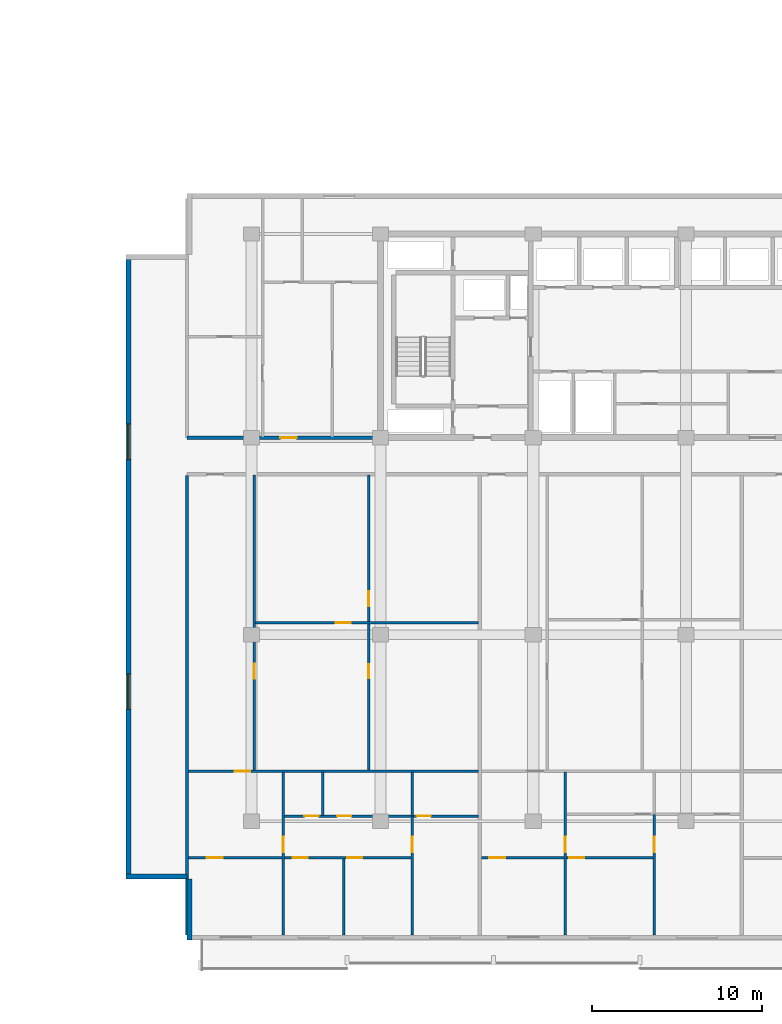
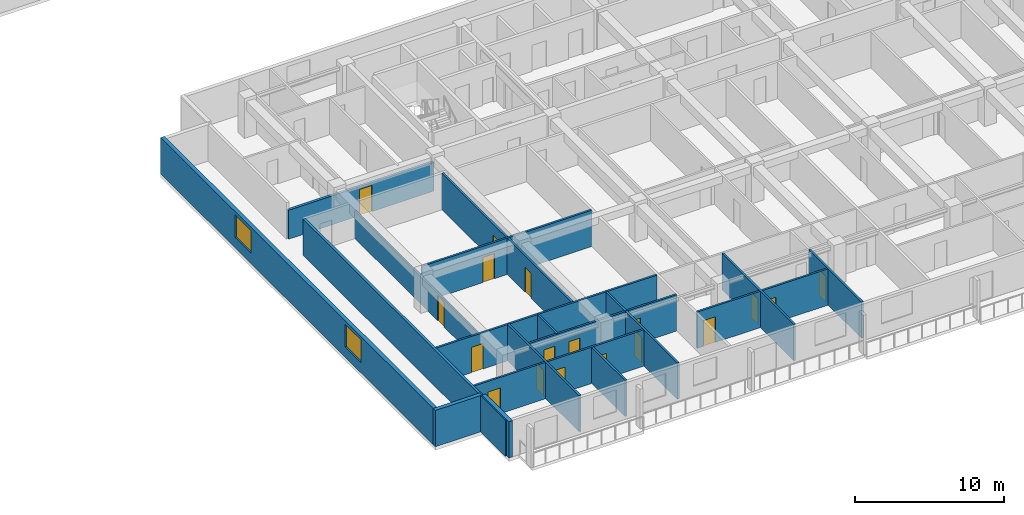
# One storey, part 3 of 23: 19 walls, 18 doors, 2 windows, 20 openings.
"""IFC4 building model written with IfcOpenShell, lengths in metres."""

import ifcopenshell
import ifcopenshell.guid

model = None  # the IFC model being written
_history = None  # IfcOwnerHistory: only IFC2X3 demands one
_inside = {}  # id of a spatial element -> (the spatial element, [elements in it])
_under = {}  # id of a project, library or spatial element -> (it, [spatial elements below it])
_declared = {}  # id of a project -> (the project, [libraries it declares])
_typed = {}  # id of a type object -> (the type object, [elements of that type])
_made_of = {}  # id of a material, layer set ... -> (it, [elements and type objects made of it])


def new_model(schema):
    """Start an empty IFC model of exactly this schema.

    Asked for "IFC4X3", IfcOpenShell would pick the latest addendum, in which some entities
    have other attributes; the version numbers below select the first issue.
    IFC2X3 requires an IfcOwnerHistory on every rooted entity: one is made here for all.
    """
    global model, _history
    if schema == "IFC4X3":
        model = ifcopenshell.file(schema_version=(4, 3, 0, 0))
    else:
        model = ifcopenshell.file(schema=schema)
    _inside.clear()
    _under.clear()
    _declared.clear()
    _typed.clear()
    _made_of.clear()
    _history = None
    if model.schema == "IFC2X3":
        org = make("IfcOrganization", Name="unknown")
        user = make(
            "IfcPersonAndOrganization",
            ThePerson=make("IfcPerson", FamilyName="unknown"),
            TheOrganization=org,
        )
        app = make(
            "IfcApplication",
            ApplicationDeveloper=org,
            Version="unknown",
            ApplicationFullName="unknown",
            ApplicationIdentifier="unknown",
        )
        _history = make(
            "IfcOwnerHistory",
            OwningUser=user,
            OwningApplication=app,
            ChangeAction="ADDED",
            CreationDate=0,
        )
    return model


def make(cls, **values):
    """One entity of the class cls with the attributes given. An attribute that is None is left unset."""
    return model.create_entity(
        cls, **{name: value for name, value in values.items() if value is not None}
    )


def rooted(cls, **values):
    """An entity with a GlobalId (a new one), such as an element, a storey or a relation."""
    return make(cls, GlobalId=ifcopenshell.guid.new(), OwnerHistory=_history, **values)


def si_unit(unit_type, name, prefix=None):
    """IfcSIUnit, for example si_unit("LENGTHUNIT", "METRE", prefix="MILLI")."""
    return make("IfcSIUnit", UnitType=unit_type, Prefix=prefix, Name=name)


def assignment(units):
    """IfcUnitAssignment: the units of a project."""
    return None if units is None else make("IfcUnitAssignment", Units=units)


def point(xyz):
    """IfcCartesianPoint."""
    return None if xyz is None else make("IfcCartesianPoint", Coordinates=xyz)


def direction(xyz):
    """IfcDirection."""
    return None if xyz is None else make("IfcDirection", DirectionRatios=xyz)


def frame(location, z_axis=None, x_axis=None):
    """IfcAxis2Placement3D, a coordinate frame: its origin and axes. An axis left out is left unset."""
    return make(
        "IfcAxis2Placement3D",
        Location=point(location),
        Axis=direction(z_axis),
        RefDirection=direction(x_axis),
    )


def frame_2d(location, x_axis=None):
    """IfcAxis2Placement2D, a coordinate frame in the plane: its origin and x axis."""
    return make(
        "IfcAxis2Placement2D", Location=point(location), RefDirection=direction(x_axis)
    )


def origin():
    """The frame at (0, 0, 0) with its axes left unset."""
    return frame((0.0, 0.0, 0.0))


def place(relative_to, where):
    """IfcLocalPlacement: puts the frame where relative to a parent placement (None: the world)."""
    return make(
        "IfcLocalPlacement", PlacementRelTo=relative_to, RelativePlacement=where
    )


def context(
    kind, dimensions, precision=None, world=None, true_north=None, identifier=None
):
    """IfcGeometricRepresentationContext, for example the 3D "Model" context."""
    return make(
        "IfcGeometricRepresentationContext",
        ContextIdentifier=identifier,
        ContextType=kind,
        CoordinateSpaceDimension=dimensions,
        Precision=precision,
        WorldCoordinateSystem=world,
        TrueNorth=true_north,
    )


def subcontext(parent, identifier, kind, view, scale=None):
    """IfcGeometricRepresentationSubContext, for example "Body" below "Model"."""
    return make(
        "IfcGeometricRepresentationSubContext",
        ContextIdentifier=identifier,
        ContextType=kind,
        ParentContext=parent,
        TargetScale=scale,
        TargetView=view,
    )


def project(units=None, contexts=None):
    """IfcProject with its units and contexts."""
    return rooted(
        "IfcProject",
        Name="project",
        RepresentationContexts=contexts,
        UnitsInContext=assignment(units),
    )


def spatial(cls, under=None, at=None, **own):
    """A site, building, storey or space (cls), placed at a placement, below another one or the project."""
    s = rooted(cls, ObjectPlacement=at, **own)
    if under is not None:
        _under.setdefault(under.id(), (under, []))[1].append(s)
    return s


def profile(cls, at=None, kind="AREA", **sizes):
    """A parametric profile (cls). Its sizes go by their IFC names, for example OverallWidth=200.0."""
    return make(cls, ProfileType=kind, Position=at, **sizes)


def rectangle(**sizes):
    """IfcRectangleProfileDef."""
    return profile("IfcRectangleProfileDef", **sizes)


def extrude(swept, where, along, depth):
    """IfcExtrudedAreaSolid: the profile swept, set in the frame where, extruded along a direction by depth."""
    return make(
        "IfcExtrudedAreaSolid",
        SweptArea=swept,
        Position=where,
        ExtrudedDirection=direction(along),
        Depth=depth,
    )


def shape(context_of_items, identifier, shape_type, items):
    """IfcShapeRepresentation: the items that make up one representation, for example the "Body"."""
    return make(
        "IfcShapeRepresentation",
        ContextOfItems=context_of_items,
        RepresentationIdentifier=identifier,
        RepresentationType=shape_type,
        Items=items,
    )


def material(Name=None, Category=None):
    """IfcMaterial."""
    return make("IfcMaterial", Name=Name, Category=Category)


def layer(
    of_material, thickness, ventilated=None, Name=None, Category=None, Priority=None
):
    """IfcMaterialLayer: one layer of a wall or slab, of a material (None: an air gap)."""
    return make(
        "IfcMaterialLayer",
        Material=of_material,
        LayerThickness=thickness,
        IsVentilated=ventilated,
        Name=Name,
        Category=Category,
        Priority=Priority,
    )


def layer_set(layers, Name=None):
    """IfcMaterialLayerSet."""
    return make("IfcMaterialLayerSet", MaterialLayers=layers, LayerSetName=Name)


def made_of(thing, what):
    """Note that an element or type object is made of a material, layer set ...; save() writes the relation."""
    if what is not None:
        _made_of.setdefault(what.id(), (what, []))[1].append(thing)
    return thing


def type_object(cls, material=None, **own):
    """A type object (cls), such as IfcWallType, which elements share."""
    return made_of(rooted(cls, **own), material)


def element(
    cls,
    number,
    at=None,
    inside=None,
    cuts=None,
    type_object=None,
    material=None,
    context=None,
    identifier="Body",
    shape_type=None,
    held_by="IfcProductDefinitionShape",
    body=None,
    shapes=None,
    **own,
):
    """One element of the class cls, such as IfcWall. Its Tag is "e" and its number.

    at: its placement. inside: the storey or other place that contains it. cuts: it is an
    opening in that element (IfcRelVoidsElement). A single representation is given by context,
    identifier, shape_type and body (its items); several are given by shapes. held_by: the class
    of the entity that holds the representations. save() writes the other relations.
    """
    e = rooted(cls, Tag="e%d" % number, ObjectPlacement=at, **own)
    if body is not None:
        shapes = [shape(context, identifier, shape_type, body)]
    if shapes is not None:
        e.Representation = make(held_by, Representations=shapes)
    if inside is not None:
        _inside.setdefault(inside.id(), (inside, []))[1].append(e)
    if cuts is not None:
        rooted(
            "IfcRelVoidsElement", RelatingBuildingElement=cuts, RelatedOpeningElement=e
        )
    if type_object is not None:
        _typed.setdefault(type_object.id(), (type_object, []))[1].append(e)
    return made_of(e, material)


def fill(opening, filler):
    """IfcRelFillsElement: the door or window that sits in an opening."""
    return rooted(
        "IfcRelFillsElement",
        RelatingOpeningElement=opening,
        RelatedBuildingElement=filler,
    )


def aggregate(whole, parts):
    """IfcRelAggregates: a whole, such as a stair, and the parts it consists of."""
    return rooted("IfcRelAggregates", RelatingObject=whole, RelatedObjects=parts)


def save(model, path):
    """Write the relations noted so far, then the file.

    IfcRelAggregates (storeys below a building ...), IfcRelContainedInSpatialStructure (elements
    in a storey), IfcRelDefinesByType, IfcRelAssociatesMaterial and IfcRelDeclares: one each for
    every whole, place, type object, material and project.
    """
    for whole, parts in _under.values():
        aggregate(whole, parts)
    for where, things in _inside.values():
        rooted(
            "IfcRelContainedInSpatialStructure",
            RelatedElements=things,
            RelatingStructure=where,
        )
    for kind, things in _typed.values():
        rooted("IfcRelDefinesByType", RelatedObjects=things, RelatingType=kind)
    for what, things in _made_of.values():
        rooted("IfcRelAssociatesMaterial", RelatedObjects=things, RelatingMaterial=what)
    for by, libraries in _declared.values():
        rooted("IfcRelDeclares", RelatingContext=by, RelatedDefinitions=libraries)
    model.write(path)


model = new_model("IFC4")

# Units and contexts
model_context = context("Model", 3, precision=1e-05, world=origin(), true_north=direction((0.0, 1.0)))
body_context = subcontext(model_context, "Body", "Model", "MODEL_VIEW")
ifc_project = project(units=[si_unit("LENGTHUNIT", "METRE"), si_unit("AREAUNIT", "SQUARE_METRE"), si_unit("VOLUMEUNIT", "CUBIC_METRE"), si_unit("PLANEANGLEUNIT", "RADIAN"), si_unit("MASSUNIT", "GRAM", prefix="KILO")], contexts=[model_context])

# Site, building, storey
site_placement = place(None, origin())
site = spatial("IfcSite", under=ifc_project, at=site_placement, CompositionType="ELEMENT")
building_placement = place(site_placement, origin())
building = spatial("IfcBuilding", under=site, at=building_placement, Name="Korimba Cascade Residences", CompositionType="ELEMENT")
storey_placement = place(building_placement, frame((0.0, 0.0, 50.0)))
storey = spatial("IfcBuildingStorey", under=building, at=storey_placement, Name="L13", CompositionType="ELEMENT", Elevation=50.0)

# Wall, openings, windows
ifc_material_1 = material(Name="Precast concrete C40/50", Category="concrete")
ifc_layer_1 = layer(ifc_material_1, 0.300048828125)
ifc_layer_set_1 = layer_set([ifc_layer_1], Name="Precast concrete C40/50")
wall_type_1 = type_object("IfcWallType", Name="EW-STONE-300", PredefinedType="STANDARD", material=ifc_layer_set_1)
wall_1_placement = place(storey_placement, frame((67.25, 29.199951171875, 0.0), z_axis=(0.0, 0.0, 1.0), x_axis=(0.0, -1.0, 0.0)))
wall_1 = element("IfcWall", 1, at=wall_1_placement, inside=storey, type_object=wall_type_1, Name="L13 T2 Perimeter Stone Wall E09", PredefinedType="STANDARD", context=body_context, shape_type="SweptSolid", body=[
    extrude(rectangle(XDim=36.800048828125, YDim=0.300048828125, at=frame_2d((18.39990234375, 0.0))), origin(), (0.0, 0.0, 1.0), 2.969970703125),
])
opening_1_placement = place(wall_1_placement, frame((9.989990234375, 0.0, 0.85009765625)))
opening_1 = element("IfcOpeningElement", 2, at=opening_1_placement, cuts=wall_1, Name="Opening W-03", PredefinedType="OPENING", context=body_context, shape_type="SweptSolid", body=[
    extrude(rectangle(XDim=2.10009765625, YDim=1.85009765625, at=frame_2d((1.050048828125, 0.925048828125))), frame((0.0, 0.16015625, 0.0), z_axis=(0.0, -1.0, 0.0), x_axis=(1.0, 0.0, 0.0)), (0.0, 0.0, 1.0), 0.320068359375),
])
opening_2_placement = place(wall_1_placement, frame((24.7099609375, 0.0, 0.85009765625)))
opening_2 = element("IfcOpeningElement", 3, at=opening_2_placement, cuts=wall_1, Name="Opening W-03", PredefinedType="OPENING", context=body_context, shape_type="SweptSolid", body=[
    extrude(rectangle(XDim=2.10009765625, YDim=1.85009765625, at=frame_2d((1.050048828125, 0.925048828125))), frame((0.0, 0.16015625, 0.0), z_axis=(0.0, -1.0, 0.0), x_axis=(1.0, 0.0, 0.0)), (0.0, 0.0, 1.0), 0.320068359375),
])
ifc_material_2 = material(Name="Double-Glazed Aluminium Window", Category="aluminium")
window_type = type_object("IfcWindowType", Name="WIN-CRN-2100", PartitioningType="DOUBLE_PANEL_HORIZONTAL", PredefinedType="WINDOW", material=ifc_material_2)
window_1_placement = place(opening_1_placement, origin())
window_1 = element("IfcWindow", 4, at=window_1_placement, inside=storey, type_object=window_type, Name="L13 T2 End View Window 9.1", OverallHeight=1.85009765625, OverallWidth=2.10009765625, PartitioningType="DOUBLE_PANEL_HORIZONTAL", PredefinedType="WINDOW", context=body_context, shape_type="SweptSolid", body=[
    extrude(rectangle(XDim=2.10009765625, YDim=1.85009765625, at=frame_2d((1.050048828125, 0.925048828125))), frame((0.0, 0.030029296875, 0.0), z_axis=(0.0, -1.0, 0.0), x_axis=(1.0, 0.0, 0.0)), (0.0, 0.0, 1.0), 0.06005859375),
])
fill(opening_1, window_1)
window_2_placement = place(opening_2_placement, origin())
window_2 = element("IfcWindow", 5, at=window_2_placement, inside=storey, type_object=window_type, Name="L13 T2 End View Window 9.2", OverallHeight=1.85009765625, OverallWidth=2.10009765625, PartitioningType="DOUBLE_PANEL_HORIZONTAL", PredefinedType="WINDOW", context=body_context, shape_type="SweptSolid", body=[
    extrude(rectangle(XDim=2.10009765625, YDim=1.85009765625, at=frame_2d((1.050048828125, 0.925048828125))), frame((0.0, 0.030029296875, 0.0), z_axis=(0.0, -1.0, 0.0), x_axis=(1.0, 0.0, 0.0)), (0.0, 0.0, 1.0), 0.06005859375),
])
fill(opening_2, window_2)

# Walls
for number, where, z_axis, x_axis, name in (
    (6, (67.10009765625, -7.449951171875, 0.0), (0.0, 0.0, 1.0), (1.0, 0.0, 0.0), "L13 T2 Perimeter Stone Wall E10"),
    (7, (70.85009765625, -7.60009765625, 0.0), (0.0, 0.0, 1.0), (0.0, -1.0, 0.0), "L13 T2 Perimeter Stone Wall E11"),
):
    element("IfcWall", number, at=place(storey_placement, frame(where, z_axis=z_axis, x_axis=x_axis)), inside=storey, type_object=wall_type_1, Name=name, PredefinedType="STANDARD", context=body_context, shape_type="SweptSolid", body=[
        extrude(rectangle(XDim=3.599853515625, YDim=0.300048828125, at=frame_2d((1.7998046875, 0.0))), origin(), (0.0, 0.0, 1.0), 2.969970703125),
    ])

# Wall, opening, door
ifc_layer_2 = layer(ifc_material_1, 0.199951171875)
ifc_layer_set_2 = layer_set([ifc_layer_2], Name="Precast concrete C40/50")
wall_type_2 = type_object("IfcWallType", Name="WAL-IT-200", PredefinedType="PARTITIONING", material=ifc_layer_set_2)
wall_2_placement = place(storey_placement, frame((70.699951171875, 18.39990234375, 0.0), z_axis=(0.0, 0.0, 1.0), x_axis=(1.0, 0.0, 0.0)))
wall_2 = element("IfcWall", 8, at=wall_2_placement, inside=storey, type_object=wall_type_2, Name="L13 Partition Wall WAL-L13-T2-FW-S", PredefinedType="PARTITIONING", context=body_context, shape_type="SweptSolid", body=[
    extrude(rectangle(XDim=11.25, YDim=0.199951171875, at=frame_2d((5.625, 0.0))), origin(), (0.0, 0.0, 1.0), 2.3701171875),
])
opening_3_placement = place(wall_2_placement, frame((5.50634765625, 0.0, 0.0)))
opening_3 = element("IfcOpeningElement", 9, at=opening_3_placement, cuts=wall_2, Name="Opening D-UN1", PredefinedType="OPENING", context=body_context, shape_type="SweptSolid", body=[
    extrude(rectangle(XDim=0.949951171875, YDim=2.14990234375, at=frame_2d((0.47509765625, 1.074951171875))), frame((0.0, 0.10986328125, 0.0), z_axis=(0.0, -1.0, 0.0), x_axis=(1.0, 0.0, 0.0)), (0.0, 0.0, 1.0), 0.219970703125),
])
ifc_material_3 = material(Name="Fire-Rated Hardwood Apartment Entrance Door", Category="wood")
door_type_1 = type_object("IfcDoorType", Name="DR-FD60-950", OperationType="NOTDEFINED", PredefinedType="DOOR", material=ifc_material_3)
door_1_placement = place(opening_3_placement, origin())
door_1 = element("IfcDoor", 10, at=door_1_placement, inside=storey, type_object=door_type_1, Name="L13-T2-FW Entrance Door", OperationType="SINGLE_SWING_LEFT", OverallHeight=2.14990234375, OverallWidth=0.949951171875, PredefinedType="DOOR", context=body_context, shape_type="SweptSolid", body=[
    extrude(rectangle(XDim=0.949951171875, YDim=2.14990234375, at=frame_2d((0.47509765625, 1.074951171875))), frame((0.0, 0.02490234375, 0.0), z_axis=(0.0, -1.0, 0.0), x_axis=(1.0, 0.0, 0.0)), (0.0, 0.0, 1.0), 0.050048828125),
])
fill(opening_3, door_1)

# Wall
wall_3_placement = place(storey_placement, frame((70.699951171875, -10.89990234375, 0.0), z_axis=(0.0, 0.0, 1.0), x_axis=(0.0, 1.0, 0.0)))
element("IfcWall", 11, at=wall_3_placement, inside=storey, type_object=wall_type_2, Name="L13 Partition Wall WAL-L13-T2-BNDWL", PredefinedType="PARTITIONING", context=body_context, shape_type="SweptSolid", body=[
    extrude(rectangle(XDim=27.06982421875, YDim=0.199951171875, at=frame_2d((13.534912109375, 0.0))), origin(), (0.0, 0.0, 1.0), 2.969970703125),
])

# Wall, openings, doors
ifc_material_4 = material(Name="Insulated Acoustic Stud Partition", Category="gypsum")
ifc_layer_3 = layer(ifc_material_4, 0.14990234375)
ifc_layer_set_3 = layer_set([ifc_layer_3], Name="Insulated Acoustic Stud Partition")
wall_type_3 = type_object("IfcWallType", Name="WAL-PART-150", PredefinedType="PARTITIONING", material=ifc_layer_set_3)
wall_4_placement = place(storey_placement, frame((81.4033203125, -1.2099609375, 0.0), z_axis=(0.0, 0.0, 1.0), x_axis=(0.0, 1.0, 0.0)))
wall_4 = element("IfcWall", 12, at=wall_4_placement, inside=storey, type_object=wall_type_3, Name="L13 Partition Wall WAL-L13-T2-U01-FMV", PredefinedType="PARTITIONING", context=body_context, shape_type="SweptSolid", body=[
    extrude(rectangle(XDim=17.39990234375, YDim=0.14990234375, at=frame_2d((8.699951171875, 0.0))), origin(), (0.0, 0.0, 1.0), 2.969970703125),
])
opening_4_placement = place(wall_4_placement, frame((5.431884765625, 0.0, 0.0)))
opening_4 = element("IfcOpeningElement", 13, at=opening_4_placement, cuts=wall_4, Name="Opening D-BT1", PredefinedType="OPENING", context=body_context, shape_type="SweptSolid", body=[
    extrude(rectangle(XDim=0.840087890625, YDim=2.0400390625, at=frame_2d((0.419921875, 1.02001953125))), frame((0.0, 0.0849609375, 0.0), z_axis=(0.0, -1.0, 0.0), x_axis=(1.0, 0.0, 0.0)), (0.0, 0.0, 1.0), 0.169921875),
])
opening_5_placement = place(wall_4_placement, frame((9.672119140625, 0.0, 0.0)))
opening_5 = element("IfcOpeningElement", 14, at=opening_5_placement, cuts=wall_4, Name="Opening D-IN2", PredefinedType="OPENING", context=body_context, shape_type="SweptSolid", body=[
    extrude(rectangle(XDim=0.8798828125, YDim=2.06005859375, at=frame_2d((0.43994140625, 1.030029296875))), frame((0.0, 0.0849609375, 0.0), z_axis=(0.0, -1.0, 0.0), x_axis=(1.0, 0.0, 0.0)), (0.0, 0.0, 1.0), 0.169921875),
])
ifc_material_5 = material(Name="Moisture-Resistant Bathroom Timber Door", Category="wood")
door_type_2 = type_object("IfcDoorType", Name="DR-INT-850", OperationType="NOTDEFINED", PredefinedType="DOOR", material=ifc_material_5)
door_2_placement = place(opening_4_placement, origin())
door_2 = element("IfcDoor", 15, at=door_2_placement, inside=storey, type_object=door_type_2, Name="L13-T2-U01 Wardrobe Door", OperationType="SINGLE_SWING_RIGHT", OverallHeight=2.0400390625, OverallWidth=0.840087890625, PredefinedType="DOOR", context=body_context, shape_type="SweptSolid", body=[
    extrude(rectangle(XDim=0.840087890625, YDim=2.0400390625, at=frame_2d((0.419921875, 1.02001953125))), frame((0.0, 0.02490234375, 0.0), z_axis=(0.0, -1.0, 0.0), x_axis=(1.0, 0.0, 0.0)), (0.0, 0.0, 1.0), 0.050048828125),
])
fill(opening_4, door_2)
ifc_material_6 = material(Name="Acoustic Timber Bedroom Door", Category="wood")
door_type_3 = type_object("IfcDoorType", Name="DR-INT-880", OperationType="NOTDEFINED", PredefinedType="DOOR", material=ifc_material_6)
door_3_placement = place(opening_5_placement, origin())
door_3 = element("IfcDoor", 16, at=door_3_placement, inside=storey, type_object=door_type_3, Name="L13-T2-U01 Music Lounge Door", OperationType="SINGLE_SWING_LEFT", OverallHeight=2.06005859375, OverallWidth=0.8798828125, PredefinedType="DOOR", context=body_context, shape_type="SweptSolid", body=[
    extrude(rectangle(XDim=0.8798828125, YDim=2.06005859375, at=frame_2d((0.43994140625, 1.030029296875))), frame((0.0, 0.02490234375, 0.0), z_axis=(0.0, -1.0, 0.0), x_axis=(1.0, 0.0, 0.0)), (0.0, 0.0, 1.0), 0.050048828125),
])
fill(opening_5, door_3)

# Wall, opening, door
wall_5_placement = place(storey_placement, frame((74.72998046875, 7.489990234375, 0.0), z_axis=(0.0, 0.0, 1.0), x_axis=(1.0, 0.0, 0.0)))
wall_5 = element("IfcWall", 17, at=wall_5_placement, inside=storey, type_object=wall_type_3, Name="L13 Partition Wall WAL-L13-T2-U01-FMH", PredefinedType="PARTITIONING", context=body_context, shape_type="SweptSolid", body=[
    extrude(rectangle(XDim=13.146728515625, YDim=0.14990234375, at=frame_2d((6.5732421875, 0.0))), origin(), (0.0, 0.0, 1.0), 2.969970703125),
])
opening_6_placement = place(wall_5_placement, frame((4.73779296875, 0.0, 0.0)))
opening_6 = element("IfcOpeningElement", 18, at=opening_6_placement, cuts=wall_5, Name="Opening D-IN2", PredefinedType="OPENING", context=body_context, shape_type="SweptSolid", body=[
    extrude(rectangle(XDim=0.8798828125, YDim=2.06005859375, at=frame_2d((0.43994140625, 1.030029296875))), frame((0.0, 0.0849609375, 0.0), z_axis=(0.0, -1.0, 0.0), x_axis=(1.0, 0.0, 0.0)), (0.0, 0.0, 1.0), 0.169921875),
])
door_4_placement = place(opening_6_placement, origin())
door_4 = element("IfcDoor", 19, at=door_4_placement, inside=storey, type_object=door_type_3, Name="L13-T2-U01 Library Salon Door", OperationType="SINGLE_SWING_RIGHT", OverallHeight=2.06005859375, OverallWidth=0.8798828125, PredefinedType="DOOR", context=body_context, shape_type="SweptSolid", body=[
    extrude(rectangle(XDim=0.8798828125, YDim=2.06005859375, at=frame_2d((0.43994140625, 1.030029296875))), frame((0.0, 0.02490234375, 0.0), z_axis=(0.0, -1.0, 0.0), x_axis=(1.0, 0.0, 0.0)), (0.0, 0.0, 1.0), 0.050048828125),
])
fill(opening_6, door_4)

wall_6_placement = place(storey_placement, frame((74.669921875, -1.2099609375, 0.0), z_axis=(0.0, 0.0, 1.0), x_axis=(0.0, 1.0, 0.0)))
wall_6 = element("IfcWall", 20, at=wall_6_placement, inside=storey, type_object=wall_type_3, Name="L13 Partition Wall WAL-L13-T2-U01-FV", PredefinedType="PARTITIONING", context=body_context, shape_type="SweptSolid", body=[
    extrude(rectangle(XDim=17.39990234375, YDim=0.14990234375, at=frame_2d((8.699951171875, 0.0))), origin(), (0.0, 0.0, 1.0), 2.219970703125),
])
opening_7_placement = place(wall_6_placement, frame((5.404052734375, 0.0, 0.0)))
opening_7 = element("IfcOpeningElement", 21, at=opening_7_placement, cuts=wall_6, Name="Opening D-IN2", PredefinedType="OPENING", context=body_context, shape_type="SweptSolid", body=[
    extrude(rectangle(XDim=0.8798828125, YDim=2.06005859375, at=frame_2d((0.43994140625, 1.030029296875))), frame((0.0, 0.0849609375, 0.0), z_axis=(0.0, -1.0, 0.0), x_axis=(1.0, 0.0, 0.0)), (0.0, 0.0, 1.0), 0.169921875),
])
door_5_placement = place(opening_7_placement, origin())
door_5 = element("IfcDoor", 22, at=door_5_placement, inside=storey, type_object=door_type_3, Name="L13-T2-U01 Media Lounge Door", OperationType="SINGLE_SWING_LEFT", OverallHeight=2.06005859375, OverallWidth=0.8798828125, PredefinedType="DOOR", context=body_context, shape_type="SweptSolid", body=[
    extrude(rectangle(XDim=0.8798828125, YDim=2.06005859375, at=frame_2d((0.43994140625, 1.030029296875))), frame((0.0, 0.02490234375, 0.0), z_axis=(0.0, -1.0, 0.0), x_axis=(1.0, 0.0, 0.0)), (0.0, 0.0, 1.0), 0.050048828125),
])
fill(opening_7, door_5)

# Walls
wall_7_placement = place(storey_placement, frame((78.68994140625, -3.8701171875, 0.0), z_axis=(0.0, 0.0, 1.0), x_axis=(0.0, 1.0, 0.0)))
element("IfcWall", 23, at=wall_7_placement, inside=storey, type_object=wall_type_3, Name="L13 Partition Wall WAL-L13-T2-U01-VDRS", PredefinedType="PARTITIONING", context=body_context, shape_type="SweptSolid", body=[
    extrude(rectangle(XDim=2.580078125, YDim=0.14990234375, at=frame_2d((1.2900390625, 0.0))), origin(), (0.0, 0.0, 1.0), 2.969970703125),
])
wall_8_placement = place(storey_placement, frame((79.929931640625, -10.89990234375, 0.0), z_axis=(0.0, 0.0, 1.0), x_axis=(0.0, 1.0, 0.0)))
element("IfcWall", 24, at=wall_8_placement, inside=storey, type_object=wall_type_3, Name="L13 Partition Wall WAL-L13-T2-U01-VSTD", PredefinedType="PARTITIONING", context=body_context, shape_type="SweptSolid", body=[
    extrude(rectangle(XDim=4.469970703125, YDim=0.14990234375, at=frame_2d((2.23486328125, 0.0))), origin(), (0.0, 0.0, 1.0), 2.969970703125),
])

# Wall, opening, door
wall_9_placement = place(storey_placement, frame((76.3798828125, -10.89990234375, 0.0), z_axis=(0.0, 0.0, 1.0), x_axis=(0.0, 1.0, 0.0)))
wall_9 = element("IfcWall", 25, at=wall_9_placement, inside=storey, type_object=wall_type_3, Name="L13 Partition Wall WAL-L13-T2-U01-V1", PredefinedType="PARTITIONING", context=body_context, shape_type="SweptSolid", body=[
    extrude(rectangle(XDim=9.60986328125, YDim=0.14990234375, at=frame_2d((4.804931640625, 0.0))), origin(), (0.0, 0.0, 1.0), 2.969970703125),
])
opening_8_placement = place(wall_9_placement, frame((4.8701171875, 0.0, 0.0)))
opening_8 = element("IfcOpeningElement", 26, at=opening_8_placement, cuts=wall_9, Name="Opening D-IN1", PredefinedType="OPENING", context=body_context, shape_type="SweptSolid", body=[
    extrude(rectangle(XDim=0.919921875, YDim=2.080078125, at=frame_2d((0.4599609375, 1.0400390625))), frame((0.0, 0.0849609375, 0.0), z_axis=(0.0, -1.0, 0.0), x_axis=(1.0, 0.0, 0.0)), (0.0, 0.0, 1.0), 0.169921875),
])
ifc_material_7 = material(Name="Acoustic Timber Living Door", Category="wood")
door_type_4 = type_object("IfcDoorType", Name="DR-INT-920", OperationType="NOTDEFINED", PredefinedType="DOOR", material=ifc_material_7)
door_6_placement = place(opening_8_placement, origin())
door_6 = element("IfcDoor", 27, at=door_6_placement, inside=storey, type_object=door_type_4, Name="L13-T2-U01 Hallway Door", OperationType="SINGLE_SWING_RIGHT", OverallHeight=2.080078125, OverallWidth=0.919921875, PredefinedType="DOOR", context=body_context, shape_type="SweptSolid", body=[
    extrude(rectangle(XDim=0.919921875, YDim=2.080078125, at=frame_2d((0.4599609375, 1.0400390625))), frame((0.0, 0.02490234375, 0.0), z_axis=(0.0, -1.0, 0.0), x_axis=(1.0, 0.0, 0.0)), (0.0, 0.0, 1.0), 0.050048828125),
])
fill(opening_8, door_6)

# Wall
wall_10_placement = place(storey_placement, frame((83.97998046875, -3.8701171875, 0.0), z_axis=(0.0, 0.0, 1.0), x_axis=(0.0, 1.0, 0.0)))
element("IfcWall", 28, at=wall_10_placement, inside=storey, type_object=wall_type_3, Name="L13 Partition Wall WAL-L13-T2-U01-VBATH", PredefinedType="PARTITIONING", context=body_context, shape_type="SweptSolid", body=[
    extrude(rectangle(XDim=2.580078125, YDim=0.14990234375, at=frame_2d((1.2900390625, 0.0))), origin(), (0.0, 0.0, 1.0), 2.969970703125),
])

# Wall, opening, door
wall_11_placement = place(storey_placement, frame((83.97998046875, -10.89990234375, 0.0), z_axis=(0.0, 0.0, 1.0), x_axis=(0.0, 1.0, 0.0)))
wall_11 = element("IfcWall", 29, at=wall_11_placement, inside=storey, type_object=wall_type_3, Name="L13 Partition Wall WAL-L13-T2-U01-V2FULL", PredefinedType="PARTITIONING", context=body_context, shape_type="SweptSolid", body=[
    extrude(rectangle(XDim=6.989990234375, YDim=0.14990234375, at=frame_2d((3.4951171875, 0.0))), origin(), (0.0, 0.0, 1.0), 2.969970703125),
])
opening_9_placement = place(wall_11_placement, frame((4.8701171875, 0.0, 0.0)))
opening_9 = element("IfcOpeningElement", 30, at=opening_9_placement, cuts=wall_11, Name="Opening D-IN1", PredefinedType="OPENING", context=body_context, shape_type="SweptSolid", body=[
    extrude(rectangle(XDim=0.919921875, YDim=2.080078125, at=frame_2d((0.4599609375, 1.0400390625))), frame((0.0, 0.0849609375, 0.0), z_axis=(0.0, -1.0, 0.0), x_axis=(1.0, 0.0, 0.0)), (0.0, 0.0, 1.0), 0.169921875),
])
door_7_placement = place(opening_9_placement, origin())
door_7 = element("IfcDoor", 31, at=door_7_placement, inside=storey, type_object=door_type_4, Name="L13-T2-U01 Master Bedroom Door", OperationType="SINGLE_SWING_LEFT", OverallHeight=2.080078125, OverallWidth=0.919921875, PredefinedType="DOOR", context=body_context, shape_type="SweptSolid", body=[
    extrude(rectangle(XDim=0.919921875, YDim=2.080078125, at=frame_2d((0.4599609375, 1.0400390625))), frame((0.0, 0.02490234375, 0.0), z_axis=(0.0, -1.0, 0.0), x_axis=(1.0, 0.0, 0.0)), (0.0, 0.0, 1.0), 0.050048828125),
])
fill(opening_9, door_7)

# Wall, openings, doors
wall_12_placement = place(storey_placement, frame((76.419921875, -3.889892578125, 0.0), z_axis=(0.0, 0.0, 1.0), x_axis=(1.0, 0.0, 0.0)))
wall_12 = element("IfcWall", 32, at=wall_12_placement, inside=storey, type_object=wall_type_3, Name="L13 Partition Wall WAL-L13-T2-U01-HWALL", PredefinedType="PARTITIONING", context=body_context, shape_type="SweptSolid", body=[
    extrude(rectangle(XDim=11.456787109375, YDim=0.14990234375, at=frame_2d((5.728515625, 0.0))), origin(), (0.0, 0.0, 1.0), 2.969970703125),
])
opening_10_placement = place(wall_12_placement, frame((1.19091796875, 0.0, 0.0)))
opening_10 = element("IfcOpeningElement", 33, at=opening_10_placement, cuts=wall_12, Name="Opening D-BT1", PredefinedType="OPENING", context=body_context, shape_type="SweptSolid", body=[
    extrude(rectangle(XDim=0.840087890625, YDim=2.0400390625, at=frame_2d((0.419921875, 1.02001953125))), frame((0.0, 0.0849609375, 0.0), z_axis=(0.0, -1.0, 0.0), x_axis=(1.0, 0.0, 0.0)), (0.0, 0.0, 1.0), 0.169921875),
])
opening_11_placement = place(wall_12_placement, frame((3.131591796875, 0.0, 0.0)))
opening_11 = element("IfcOpeningElement", 34, at=opening_11_placement, cuts=wall_12, Name="Opening D-BT1", PredefinedType="OPENING", context=body_context, shape_type="SweptSolid", body=[
    extrude(rectangle(XDim=0.840087890625, YDim=2.0400390625, at=frame_2d((0.419921875, 1.02001953125))), frame((0.0, 0.0849609375, 0.0), z_axis=(0.0, -1.0, 0.0), x_axis=(1.0, 0.0, 0.0)), (0.0, 0.0, 1.0), 0.169921875),
])
opening_12_placement = place(wall_12_placement, frame((7.81005859375, 0.0, 0.0)))
opening_12 = element("IfcOpeningElement", 35, at=opening_12_placement, cuts=wall_12, Name="Opening D-BT1", PredefinedType="OPENING", context=body_context, shape_type="SweptSolid", body=[
    extrude(rectangle(XDim=0.840087890625, YDim=2.0400390625, at=frame_2d((0.419921875, 1.02001953125))), frame((0.0, 0.0849609375, 0.0), z_axis=(0.0, -1.0, 0.0), x_axis=(1.0, 0.0, 0.0)), (0.0, 0.0, 1.0), 0.169921875),
])
door_8_placement = place(opening_10_placement, origin())
door_8 = element("IfcDoor", 36, at=door_8_placement, inside=storey, type_object=door_type_2, Name="L13-T2-U01 Family Bathroom Door", OperationType="SINGLE_SWING_RIGHT", OverallHeight=2.0400390625, OverallWidth=0.840087890625, PredefinedType="DOOR", context=body_context, shape_type="SweptSolid", body=[
    extrude(rectangle(XDim=0.840087890625, YDim=2.0400390625, at=frame_2d((0.419921875, 1.02001953125))), frame((0.0, 0.02490234375, 0.0), z_axis=(0.0, -1.0, 0.0), x_axis=(1.0, 0.0, 0.0)), (0.0, 0.0, 1.0), 0.050048828125),
])
fill(opening_10, door_8)
door_9_placement = place(opening_11_placement, origin())
door_9 = element("IfcDoor", 37, at=door_9_placement, inside=storey, type_object=door_type_2, Name="L13-T2-U01 Dressing Room Door", OperationType="SINGLE_SWING_LEFT", OverallHeight=2.0400390625, OverallWidth=0.840087890625, PredefinedType="DOOR", context=body_context, shape_type="SweptSolid", body=[
    extrude(rectangle(XDim=0.840087890625, YDim=2.0400390625, at=frame_2d((0.419921875, 1.02001953125))), frame((0.0, 0.02490234375, 0.0), z_axis=(0.0, -1.0, 0.0), x_axis=(1.0, 0.0, 0.0)), (0.0, 0.0, 1.0), 0.050048828125),
])
fill(opening_11, door_9)
door_10_placement = place(opening_12_placement, origin())
door_10 = element("IfcDoor", 38, at=door_10_placement, inside=storey, type_object=door_type_2, Name="L13-T2-U01 En-Suite Door", OperationType="SINGLE_SWING_RIGHT", OverallHeight=2.0400390625, OverallWidth=0.840087890625, PredefinedType="DOOR", context=body_context, shape_type="SweptSolid", body=[
    extrude(rectangle(XDim=0.840087890625, YDim=2.0400390625, at=frame_2d((0.419921875, 1.02001953125))), frame((0.0, 0.02490234375, 0.0), z_axis=(0.0, -1.0, 0.0), x_axis=(1.0, 0.0, 0.0)), (0.0, 0.0, 1.0), 0.050048828125),
])
fill(opening_12, door_10)

# Wall, opening, door
wall_13_placement = place(storey_placement, frame((70.780029296875, -1.25, 0.0), z_axis=(0.0, 0.0, 1.0), x_axis=(1.0, 0.0, 0.0)))
wall_13 = element("IfcWall", 39, at=wall_13_placement, inside=storey, type_object=wall_type_3, Name="L13 Partition Wall WAL-L13-T2-U01-MW", PredefinedType="PARTITIONING", context=body_context, shape_type="SweptSolid", body=[
    extrude(rectangle(XDim=17.0966796875, YDim=0.14990234375, at=frame_2d((8.54833984375, 0.0))), origin(), (0.0, 0.0, 1.0), 2.969970703125),
])
opening_13_placement = place(wall_13_placement, frame((2.719970703125, 0.0, 0.0)))
opening_13 = element("IfcOpeningElement", 40, at=opening_13_placement, cuts=wall_13, Name="Opening D-IN1", PredefinedType="OPENING", context=body_context, shape_type="SweptSolid", body=[
    extrude(rectangle(XDim=0.919921875, YDim=2.080078125, at=frame_2d((0.4599609375, 1.0400390625))), frame((0.0, 0.0849609375, 0.0), z_axis=(0.0, -1.0, 0.0), x_axis=(1.0, 0.0, 0.0)), (0.0, 0.0, 1.0), 0.169921875),
])
door_11_placement = place(opening_13_placement, origin())
door_11 = element("IfcDoor", 41, at=door_11_placement, inside=storey, type_object=door_type_4, Name="L13-T2-U01 Kitchen Door", OperationType="SINGLE_SWING_LEFT", OverallHeight=2.080078125, OverallWidth=0.919921875, PredefinedType="DOOR", context=body_context, shape_type="SweptSolid", body=[
    extrude(rectangle(XDim=0.919921875, YDim=2.080078125, at=frame_2d((0.4599609375, 1.0400390625))), frame((0.0, 0.02490234375, 0.0), z_axis=(0.0, -1.0, 0.0), x_axis=(1.0, 0.0, 0.0)), (0.0, 0.0, 1.0), 0.050048828125),
])
fill(opening_13, door_11)

# Wall, openings, doors
wall_14_placement = place(storey_placement, frame((70.780029296875, -6.35009765625, 0.0), z_axis=(0.0, 0.0, 1.0), x_axis=(1.0, 0.0, 0.0)))
wall_14 = element("IfcWall", 42, at=wall_14_placement, inside=storey, type_object=wall_type_3, Name="L13 Partition Wall WAL-L13-T2-U01-HZ", PredefinedType="PARTITIONING", context=body_context, shape_type="SweptSolid", body=[
    extrude(rectangle(XDim=13.199951171875, YDim=0.14990234375, at=frame_2d((6.60009765625, 0.0))), origin(), (0.0, 0.0, 1.0), 2.969970703125),
])
opening_14_placement = place(wall_14_placement, frame((1.08203125, 0.0, 0.0)))
opening_14 = element("IfcOpeningElement", 43, at=opening_14_placement, cuts=wall_14, Name="Opening D-IN0", PredefinedType="OPENING", context=body_context, shape_type="SweptSolid", body=[
    extrude(rectangle(XDim=0.93994140625, YDim=2.10009765625, at=frame_2d((0.469970703125, 1.050048828125))), frame((0.0, 0.0849609375, 0.0), z_axis=(0.0, -1.0, 0.0), x_axis=(1.0, 0.0, 0.0)), (0.0, 0.0, 1.0), 0.169921875),
])
opening_15_placement = place(wall_14_placement, frame((6.159912109375, 0.0, 0.0)))
opening_15 = element("IfcOpeningElement", 44, at=opening_15_placement, cuts=wall_14, Name="Opening D-IN2", PredefinedType="OPENING", context=body_context, shape_type="SweptSolid", body=[
    extrude(rectangle(XDim=0.8798828125, YDim=2.06005859375, at=frame_2d((0.43994140625, 1.030029296875))), frame((0.0, 0.0849609375, 0.0), z_axis=(0.0, -1.0, 0.0), x_axis=(1.0, 0.0, 0.0)), (0.0, 0.0, 1.0), 0.169921875),
])
opening_16_placement = place(wall_14_placement, frame((9.3701171875, 0.0, 0.0)))
opening_16 = element("IfcOpeningElement", 45, at=opening_16_placement, cuts=wall_14, Name="Opening D-IN2", PredefinedType="OPENING", context=body_context, shape_type="SweptSolid", body=[
    extrude(rectangle(XDim=0.8798828125, YDim=2.06005859375, at=frame_2d((0.43994140625, 1.030029296875))), frame((0.0, 0.0849609375, 0.0), z_axis=(0.0, -1.0, 0.0), x_axis=(1.0, 0.0, 0.0)), (0.0, 0.0, 1.0), 0.169921875),
])
door_12_placement = place(opening_15_placement, origin())
door_12 = element("IfcDoor", 46, at=door_12_placement, inside=storey, type_object=door_type_3, Name="L13-T2-U01 Bedroom 2 Door", OperationType="SINGLE_SWING_LEFT", OverallHeight=2.06005859375, OverallWidth=0.8798828125, PredefinedType="DOOR", context=body_context, shape_type="SweptSolid", body=[
    extrude(rectangle(XDim=0.8798828125, YDim=2.06005859375, at=frame_2d((0.43994140625, 1.030029296875))), frame((0.0, 0.02490234375, 0.0), z_axis=(0.0, -1.0, 0.0), x_axis=(1.0, 0.0, 0.0)), (0.0, 0.0, 1.0), 0.050048828125),
])
fill(opening_15, door_12)
door_13_placement = place(opening_16_placement, origin())
door_13 = element("IfcDoor", 47, at=door_13_placement, inside=storey, type_object=door_type_3, Name="L13-T2-U01 Study Door", OperationType="SINGLE_SWING_RIGHT", OverallHeight=2.06005859375, OverallWidth=0.8798828125, PredefinedType="DOOR", context=body_context, shape_type="SweptSolid", body=[
    extrude(rectangle(XDim=0.8798828125, YDim=2.06005859375, at=frame_2d((0.43994140625, 1.030029296875))), frame((0.0, 0.02490234375, 0.0), z_axis=(0.0, -1.0, 0.0), x_axis=(1.0, 0.0, 0.0)), (0.0, 0.0, 1.0), 0.050048828125),
])
fill(opening_16, door_13)
ifc_material_8 = material(Name="Acoustic Timber Living Archway Door", Category="wood")
door_type_5 = type_object("IfcDoorType", Name="DR-INT-950", OperationType="NOTDEFINED", PredefinedType="DOOR", material=ifc_material_8)
door_14_placement = place(opening_14_placement, origin())
door_14 = element("IfcDoor", 48, at=door_14_placement, inside=storey, type_object=door_type_5, Name="L13-T2-U01 Living Room Door", OperationType="SINGLE_SWING_RIGHT", OverallHeight=2.10009765625, OverallWidth=0.93994140625, PredefinedType="DOOR", context=body_context, shape_type="SweptSolid", body=[
    extrude(rectangle(XDim=0.93994140625, YDim=2.10009765625, at=frame_2d((0.469970703125, 1.050048828125))), frame((0.0, 0.02490234375, 0.0), z_axis=(0.0, -1.0, 0.0), x_axis=(1.0, 0.0, 0.0)), (0.0, 0.0, 1.0), 0.050048828125),
])
fill(opening_14, door_14)

# Wall, opening, door
wall_15_placement = place(storey_placement, frame((92.97998046875, -10.89990234375, 0.0), z_axis=(0.0, 0.0, 1.0), x_axis=(0.0, 1.0, 0.0)))
wall_15 = element("IfcWall", 49, at=wall_15_placement, inside=storey, type_object=wall_type_3, Name="L13 Partition Wall WAL-L13-T2-U02-V1", PredefinedType="PARTITIONING", context=body_context, shape_type="SweptSolid", body=[
    extrude(rectangle(XDim=9.60986328125, YDim=0.14990234375, at=frame_2d((4.804931640625, 0.0))), origin(), (0.0, 0.0, 1.0), 2.969970703125),
])
opening_17_placement = place(wall_15_placement, frame((4.8701171875, 0.0, 0.0)))
opening_17 = element("IfcOpeningElement", 50, at=opening_17_placement, cuts=wall_15, Name="Opening D-IN1", PredefinedType="OPENING", context=body_context, shape_type="SweptSolid", body=[
    extrude(rectangle(XDim=0.919921875, YDim=2.080078125, at=frame_2d((0.4599609375, 1.0400390625))), frame((0.0, 0.0849609375, 0.0), z_axis=(0.0, -1.0, 0.0), x_axis=(1.0, 0.0, 0.0)), (0.0, 0.0, 1.0), 0.169921875),
])
door_15_placement = place(opening_17_placement, origin())
door_15 = element("IfcDoor", 51, at=door_15_placement, inside=storey, type_object=door_type_4, Name="L13-T2-U02 Hallway Door", OperationType="SINGLE_SWING_LEFT", OverallHeight=2.080078125, OverallWidth=0.919921875, PredefinedType="DOOR", context=body_context, shape_type="SweptSolid", body=[
    extrude(rectangle(XDim=0.919921875, YDim=2.080078125, at=frame_2d((0.4599609375, 1.0400390625))), frame((0.0, 0.02490234375, 0.0), z_axis=(0.0, -1.0, 0.0), x_axis=(1.0, 0.0, 0.0)), (0.0, 0.0, 1.0), 0.050048828125),
])
fill(opening_17, door_15)

wall_16_placement = place(storey_placement, frame((98.219970703125, -10.89990234375, 0.0), z_axis=(0.0, 0.0, 1.0), x_axis=(0.0, 1.0, 0.0)))
wall_16 = element("IfcWall", 52, at=wall_16_placement, inside=storey, type_object=wall_type_3, Name="L13 Partition Wall WAL-L13-T2-U02-V2FULL", PredefinedType="PARTITIONING", context=body_context, shape_type="SweptSolid", body=[
    extrude(rectangle(XDim=7.099853515625, YDim=0.14990234375, at=frame_2d((3.5498046875, 0.0))), origin(), (0.0, 0.0, 1.0), 2.969970703125),
])
opening_18_placement = place(wall_16_placement, frame((4.8701171875, 0.0, 0.0)))
opening_18 = element("IfcOpeningElement", 53, at=opening_18_placement, cuts=wall_16, Name="Opening D-IN1", PredefinedType="OPENING", context=body_context, shape_type="SweptSolid", body=[
    extrude(rectangle(XDim=0.919921875, YDim=2.080078125, at=frame_2d((0.4599609375, 1.0400390625))), frame((0.0, 0.0849609375, 0.0), z_axis=(0.0, -1.0, 0.0), x_axis=(1.0, 0.0, 0.0)), (0.0, 0.0, 1.0), 0.169921875),
])
door_16_placement = place(opening_18_placement, origin())
door_16 = element("IfcDoor", 54, at=door_16_placement, inside=storey, type_object=door_type_4, Name="L13-T2-U02 Master Bedroom Door", OperationType="SINGLE_SWING_RIGHT", OverallHeight=2.080078125, OverallWidth=0.919921875, PredefinedType="DOOR", context=body_context, shape_type="SweptSolid", body=[
    extrude(rectangle(XDim=0.919921875, YDim=2.080078125, at=frame_2d((0.4599609375, 1.0400390625))), frame((0.0, 0.02490234375, 0.0), z_axis=(0.0, -1.0, 0.0), x_axis=(1.0, 0.0, 0.0)), (0.0, 0.0, 1.0), 0.050048828125),
])
fill(opening_18, door_16)

# Wall, openings, doors
wall_17_placement = place(storey_placement, frame((88.03662109375, -6.35009765625, 0.0), z_axis=(0.0, 0.0, 1.0), x_axis=(1.0, 0.0, 0.0)))
wall_17 = element("IfcWall", 55, at=wall_17_placement, inside=storey, type_object=wall_type_3, Name="L13 Partition Wall WAL-L13-T2-U02-HZ", PredefinedType="PARTITIONING", context=body_context, shape_type="SweptSolid", body=[
    extrude(rectangle(XDim=10.183349609375, YDim=0.14990234375, at=frame_2d((5.091796875, 0.0))), origin(), (0.0, 0.0, 1.0), 2.969970703125),
])
opening_19_placement = place(wall_17_placement, frame((0.460205078125, 0.0, 0.0)))
opening_19 = element("IfcOpeningElement", 56, at=opening_19_placement, cuts=wall_17, Name="Opening D-IN0", PredefinedType="OPENING", context=body_context, shape_type="SweptSolid", body=[
    extrude(rectangle(XDim=0.93994140625, YDim=2.10009765625, at=frame_2d((0.469970703125, 1.050048828125))), frame((0.0, 0.0849609375, 0.0), z_axis=(0.0, -1.0, 0.0), x_axis=(1.0, 0.0, 0.0)), (0.0, 0.0, 1.0), 0.169921875),
])
opening_20_placement = place(wall_17_placement, frame((5.193359375, 0.0, 0.0)))
opening_20 = element("IfcOpeningElement", 57, at=opening_20_placement, cuts=wall_17, Name="Opening D-IN2", PredefinedType="OPENING", context=body_context, shape_type="SweptSolid", body=[
    extrude(rectangle(XDim=0.8798828125, YDim=2.06005859375, at=frame_2d((0.43994140625, 1.030029296875))), frame((0.0, 0.0849609375, 0.0), z_axis=(0.0, -1.0, 0.0), x_axis=(1.0, 0.0, 0.0)), (0.0, 0.0, 1.0), 0.169921875),
])
door_17_placement = place(opening_20_placement, origin())
door_17 = element("IfcDoor", 58, at=door_17_placement, inside=storey, type_object=door_type_3, Name="L13-T2-U02 Bedroom 2 Door", OperationType="SINGLE_SWING_LEFT", OverallHeight=2.06005859375, OverallWidth=0.8798828125, PredefinedType="DOOR", context=body_context, shape_type="SweptSolid", body=[
    extrude(rectangle(XDim=0.8798828125, YDim=2.06005859375, at=frame_2d((0.43994140625, 1.030029296875))), frame((0.0, 0.02490234375, 0.0), z_axis=(0.0, -1.0, 0.0), x_axis=(1.0, 0.0, 0.0)), (0.0, 0.0, 1.0), 0.050048828125),
])
fill(opening_20, door_17)
door_18_placement = place(opening_19_placement, origin())
door_18 = element("IfcDoor", 59, at=door_18_placement, inside=storey, type_object=door_type_5, Name="L13-T2-U02 Living Room Door", OperationType="SINGLE_SWING_RIGHT", OverallHeight=2.10009765625, OverallWidth=0.93994140625, PredefinedType="DOOR", context=body_context, shape_type="SweptSolid", body=[
    extrude(rectangle(XDim=0.93994140625, YDim=2.10009765625, at=frame_2d((0.469970703125, 1.050048828125))), frame((0.0, 0.02490234375, 0.0), z_axis=(0.0, -1.0, 0.0), x_axis=(1.0, 0.0, 0.0)), (0.0, 0.0, 1.0), 0.050048828125),
])
fill(opening_19, door_18)

save(model, "model.ifc")
